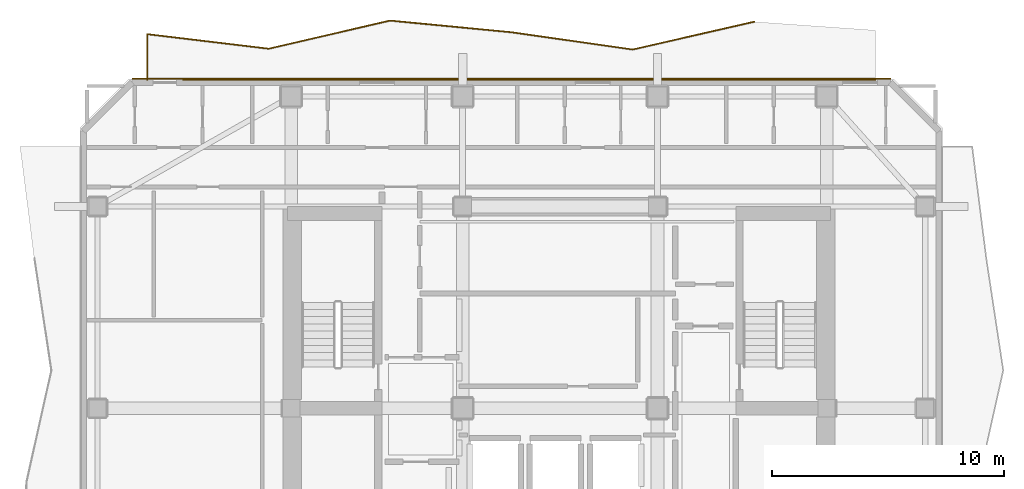
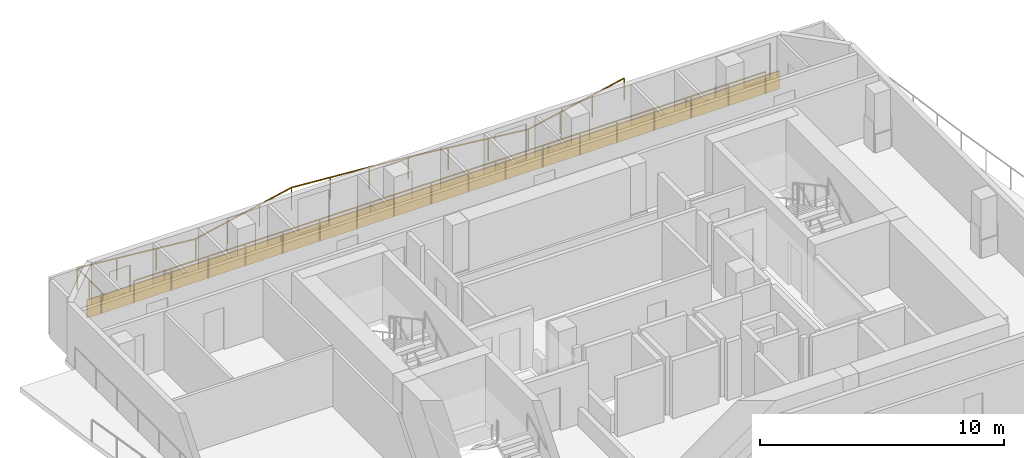
# One storey, part 10 of 10: 2 railings, 1 covering.
"""IFC4 building model written with IfcOpenShell, lengths in metres."""

from ifc_helpers import new_model, si_unit, direction, frame, frame_2d, origin, origin_2d, place, context, subcontext, project, spatial, rectangle, extrude, material, layer, layer_set, type_object, element, save


model = new_model("IFC4")

# Units and contexts
model_context = context("Model", 3, precision=1e-05, world=origin(), true_north=direction((0.0, 1.0)))
body_context = subcontext(model_context, "Body", "Model", "MODEL_VIEW")
ifc_project = project(units=[si_unit("LENGTHUNIT", "METRE"), si_unit("AREAUNIT", "SQUARE_METRE"), si_unit("VOLUMEUNIT", "CUBIC_METRE"), si_unit("PLANEANGLEUNIT", "RADIAN"), si_unit("MASSUNIT", "GRAM", prefix="KILO")], contexts=[model_context])

# Site, building, storey
site_placement = place(None, origin())
site = spatial("IfcSite", under=ifc_project, at=site_placement, CompositionType="ELEMENT")
building_placement = place(site_placement, origin())
building = spatial("IfcBuilding", under=site, at=building_placement, Name="Solanera Arch Residences", CompositionType="ELEMENT")
storey_placement = place(building_placement, frame((0.0, 0.0, 206.760009765625)))
storey = spatial("IfcBuildingStorey", under=building, at=storey_placement, Name="L60", CompositionType="ELEMENT", Elevation=206.760009765625)

# Railings
ifc_material_1 = material(Name="Steel S355 (ASTM A992 / A572 Grade 50)", Category="steel")
railing_type = type_object("IfcRailingType", Name="Balustrade Railing BL-1100", PredefinedType="BALUSTRADE", material=ifc_material_1)
railing_1_placement = place(storey_placement, frame((33.366943359375, 47.3740234375, 0.0)))
element("IfcRailing", 1, at=railing_1_placement, inside=storey, type_object=railing_type, Name="L60 N Balcony Balustrade 1", PredefinedType="BALUSTRADE", context=body_context, shape_type="SweptSolid", body=[
    extrude(rectangle(XDim=0.048095703125, YDim=0.048095703125, at=origin_2d()), frame((0.0, 0.0, 1.09619140625), z_axis=(-0.974829994776, -0.22294950389, 0.0), x_axis=(0.22294950389, -0.974829994776, 0.0)), (0.0, 0.0, 1.0), 5.369140625),
    extrude(rectangle(XDim=0.048095703125, YDim=0.048095703125, at=origin_2d()), frame((-5.23388671875, -1.197021484375, 1.09619140625), z_axis=(-0.989989174266, 0.141143313112, 0.0), x_axis=(-0.141143313112, -0.989989174266, 0.0)), (0.0, 0.0, 1.0), 5.2861328125),
    extrude(rectangle(XDim=0.048095703125, YDim=0.048095703125, at=origin_2d()), frame((-10.467041015625, -0.450927734375, 1.09619140625), z_axis=(-0.995430955928, 0.095484092815, 0.0), x_axis=(-0.095484092815, -0.995430955928, 0.0)), (0.0, 0.0, 1.0), 5.2568359375),
    extrude(rectangle(XDim=0.048095703125, YDim=0.048095703125, at=origin_2d()), frame((-15.699951171875, 0.051025390625, 1.09619140625), z_axis=(-0.974174002603, -0.225798610828, 0.0), x_axis=(0.225798610828, -0.974174002603, 0.0)), (0.0, 0.0, 1.0), 5.37255859375),
    extrude(rectangle(XDim=0.048095703125, YDim=0.048095703125, at=origin_2d()), frame((-20.933837890625, -1.162109375, 1.09619140625), z_axis=(-0.992872454204, 0.119181750626, 0.0), x_axis=(-0.119181750626, -0.992872454204, 0.0)), (0.0, 0.0, 1.0), 5.270751953125),
    extrude(rectangle(XDim=0.048095703125, YDim=0.048095703125, at=origin_2d()), frame((-26.1669921875, -0.533935546875, 1.09619140625), z_axis=(0.0, -1.0, 0.0), x_axis=(1.0, 0.0, 0.0)), (0.0, 0.0, 1.0), 1.960205078125),
    extrude(rectangle(XDim=0.0419921875, YDim=0.0419921875, at=origin_2d()), origin(), (0.0, 0.0, 1.0), 1.072021484375),
    extrude(rectangle(XDim=0.0419921875, YDim=0.0419921875, at=origin_2d()), frame((-1.74462890625, -0.39892578125, 0.0)), (0.0, 0.0, 1.0), 1.072021484375),
    extrude(rectangle(XDim=0.0419921875, YDim=0.0419921875, at=origin_2d()), frame((-3.4892578125, -0.798095703125, 0.0)), (0.0, 0.0, 1.0), 1.072021484375),
    extrude(rectangle(XDim=0.0419921875, YDim=0.0419921875, at=origin_2d()), frame((-5.23388671875, -1.197021484375, 0.0)), (0.0, 0.0, 1.0), 1.072021484375),
    extrude(rectangle(XDim=0.0419921875, YDim=0.0419921875, at=origin_2d()), frame((-6.978271484375, -0.9482421875, 0.0)), (0.0, 0.0, 1.0), 1.072021484375),
    extrude(rectangle(XDim=0.0419921875, YDim=0.0419921875, at=origin_2d()), frame((-8.72265625, -0.69970703125, 0.0)), (0.0, 0.0, 1.0), 1.072021484375),
    extrude(rectangle(XDim=0.0419921875, YDim=0.0419921875, at=origin_2d()), frame((-10.467041015625, -0.450927734375, 0.0)), (0.0, 0.0, 1.0), 1.072021484375),
    extrude(rectangle(XDim=0.0419921875, YDim=0.0419921875, at=origin_2d()), frame((-12.21142578125, -0.28369140625, 0.0)), (0.0, 0.0, 1.0), 1.072021484375),
    extrude(rectangle(XDim=0.0419921875, YDim=0.0419921875, at=origin_2d()), frame((-13.95556640625, -0.1162109375, 0.0)), (0.0, 0.0, 1.0), 1.072021484375),
    extrude(rectangle(XDim=0.0419921875, YDim=0.0419921875, at=origin_2d()), frame((-15.699951171875, 0.051025390625, 0.0)), (0.0, 0.0, 1.0), 1.072021484375),
    extrude(rectangle(XDim=0.0419921875, YDim=0.0419921875, at=origin_2d()), frame((-17.444580078125, -0.353271484375, 0.0)), (0.0, 0.0, 1.0), 1.072021484375),
    extrude(rectangle(XDim=0.0419921875, YDim=0.0419921875, at=origin_2d()), frame((-19.189208984375, -0.7578125, 0.0)), (0.0, 0.0, 1.0), 1.072021484375),
    extrude(rectangle(XDim=0.0419921875, YDim=0.0419921875, at=origin_2d()), frame((-20.933837890625, -1.162109375, 0.0)), (0.0, 0.0, 1.0), 1.072021484375),
    extrude(rectangle(XDim=0.0419921875, YDim=0.0419921875, at=origin_2d()), frame((-22.67822265625, -0.95263671875, 0.0)), (0.0, 0.0, 1.0), 1.072021484375),
    extrude(rectangle(XDim=0.0419921875, YDim=0.0419921875, at=origin_2d()), frame((-24.422607421875, -0.743408203125, 0.0)), (0.0, 0.0, 1.0), 1.072021484375),
    extrude(rectangle(XDim=0.0419921875, YDim=0.0419921875, at=origin_2d()), frame((-26.1669921875, -0.533935546875, 0.0)), (0.0, 0.0, 1.0), 1.072021484375),
    extrude(rectangle(XDim=0.0419921875, YDim=0.0419921875, at=origin_2d()), frame((-26.1669921875, -1.51416015625, 0.0)), (0.0, 0.0, 1.0), 1.072021484375),
    extrude(rectangle(XDim=0.0419921875, YDim=0.0419921875, at=origin_2d()), frame((-26.1669921875, -2.494140625, 0.0)), (0.0, 0.0, 1.0), 1.072021484375),
])
railing_2_placement = place(storey_placement, frame((8.751953125, 44.8798828125, 0.0)))
element("IfcRailing", 2, at=railing_2_placement, inside=storey, type_object=railing_type, Name="L60 N Balcony Balustrade 2", PredefinedType="BALUSTRADE", context=body_context, shape_type="SweptSolid", body=[
    extrude(rectangle(XDim=0.048095703125, YDim=0.048095703125, at=origin_2d()), frame((0.0, 0.0, 1.09619140625), z_axis=(1.0, 0.0, 0.0), x_axis=(0.0, 1.0, 0.0)), (0.0, 0.0, 1.0), 29.84814453125),
    extrude(rectangle(XDim=0.0419921875, YDim=0.0419921875, at=origin_2d()), origin(), (0.0, 0.0, 1.0), 1.072021484375),
    extrude(rectangle(XDim=0.0419921875, YDim=0.0419921875, at=origin_2d()), frame((1.755859375, 0.0, 0.0)), (0.0, 0.0, 1.0), 1.072021484375),
    extrude(rectangle(XDim=0.0419921875, YDim=0.0419921875, at=origin_2d()), frame((3.511474609375, 0.0, 0.0)), (0.0, 0.0, 1.0), 1.072021484375),
    extrude(rectangle(XDim=0.0419921875, YDim=0.0419921875, at=origin_2d()), frame((5.267333984375, 0.0, 0.0)), (0.0, 0.0, 1.0), 1.072021484375),
    extrude(rectangle(XDim=0.0419921875, YDim=0.0419921875, at=origin_2d()), frame((7.023193359375, 0.0, 0.0)), (0.0, 0.0, 1.0), 1.072021484375),
    extrude(rectangle(XDim=0.0419921875, YDim=0.0419921875, at=origin_2d()), frame((8.77880859375, 0.0, 0.0)), (0.0, 0.0, 1.0), 1.072021484375),
    extrude(rectangle(XDim=0.0419921875, YDim=0.0419921875, at=origin_2d()), frame((10.53466796875, 0.0, 0.0)), (0.0, 0.0, 1.0), 1.072021484375),
    extrude(rectangle(XDim=0.0419921875, YDim=0.0419921875, at=origin_2d()), frame((12.29052734375, 0.0, 0.0)), (0.0, 0.0, 1.0), 1.072021484375),
    extrude(rectangle(XDim=0.0419921875, YDim=0.0419921875, at=origin_2d()), frame((14.046142578125, 0.0, 0.0)), (0.0, 0.0, 1.0), 1.072021484375),
    extrude(rectangle(XDim=0.0419921875, YDim=0.0419921875, at=origin_2d()), frame((15.802001953125, 0.0, 0.0)), (0.0, 0.0, 1.0), 1.072021484375),
    extrude(rectangle(XDim=0.0419921875, YDim=0.0419921875, at=origin_2d()), frame((17.5576171875, 0.0, 0.0)), (0.0, 0.0, 1.0), 1.072021484375),
    extrude(rectangle(XDim=0.0419921875, YDim=0.0419921875, at=origin_2d()), frame((19.3134765625, 0.0, 0.0)), (0.0, 0.0, 1.0), 1.072021484375),
    extrude(rectangle(XDim=0.0419921875, YDim=0.0419921875, at=origin_2d()), frame((21.0693359375, 0.0, 0.0)), (0.0, 0.0, 1.0), 1.072021484375),
    extrude(rectangle(XDim=0.0419921875, YDim=0.0419921875, at=origin_2d()), frame((22.824951171875, 0.0, 0.0)), (0.0, 0.0, 1.0), 1.072021484375),
    extrude(rectangle(XDim=0.0419921875, YDim=0.0419921875, at=origin_2d()), frame((24.580810546875, 0.0, 0.0)), (0.0, 0.0, 1.0), 1.072021484375),
    extrude(rectangle(XDim=0.0419921875, YDim=0.0419921875, at=origin_2d()), frame((26.336669921875, 0.0, 0.0)), (0.0, 0.0, 1.0), 1.072021484375),
    extrude(rectangle(XDim=0.0419921875, YDim=0.0419921875, at=origin_2d()), frame((28.09228515625, 0.0, 0.0)), (0.0, 0.0, 1.0), 1.072021484375),
    extrude(rectangle(XDim=0.0419921875, YDim=0.0419921875, at=origin_2d()), frame((29.84814453125, 0.0, 0.0)), (0.0, 0.0, 1.0), 1.072021484375),
])

# Covering
ifc_material_2 = material(Name="Philippine Adobe Travertine Cladding", Category="masonry")
ifc_layer = layer(ifc_material_2, 0.06005859375)
ifc_layer_set = layer_set([ifc_layer], Name="Philippine Adobe Travertine Cladding")
covering_type = type_object("IfcCoveringType", Name="Precast Pier Stone Cladding CLD-60", PredefinedType="CLADDING", material=ifc_layer_set)
covering_placement = place(storey_placement, frame((6.544921875, 44.9150390625, 0.0), z_axis=(0.0, 0.0, 1.0), x_axis=(1.0, 0.0, 0.0)))
element("IfcCovering", 3, at=covering_placement, inside=storey, type_object=covering_type, Name="L60 N Precast Spandrel Stone Band", PredefinedType="CLADDING", context=body_context, shape_type="SweptSolid", body=[
    extrude(rectangle(XDim=32.7099609375, YDim=0.06005859375, at=frame_2d((16.35498046875, 0.0))), origin(), (0.0, 0.0, 1.0), 0.89990234375),
])

save(model, "model.ifc")
